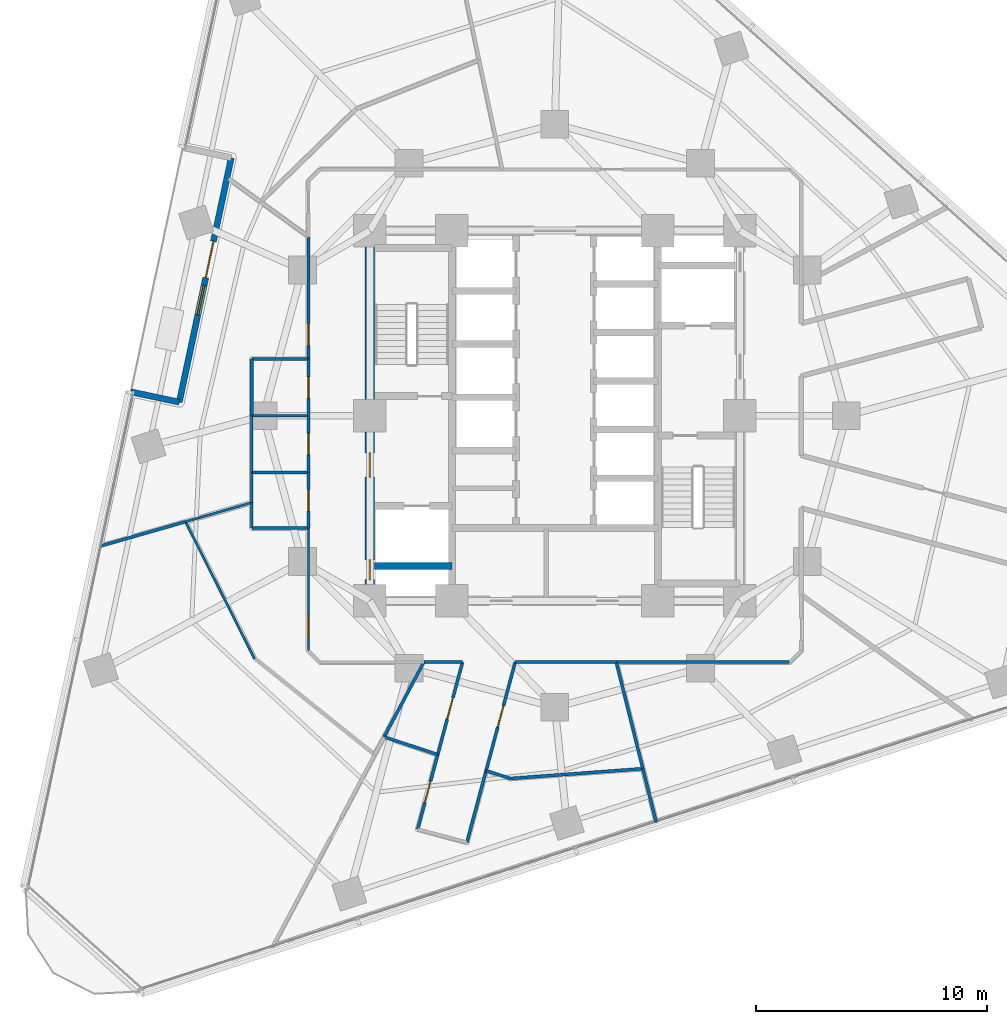
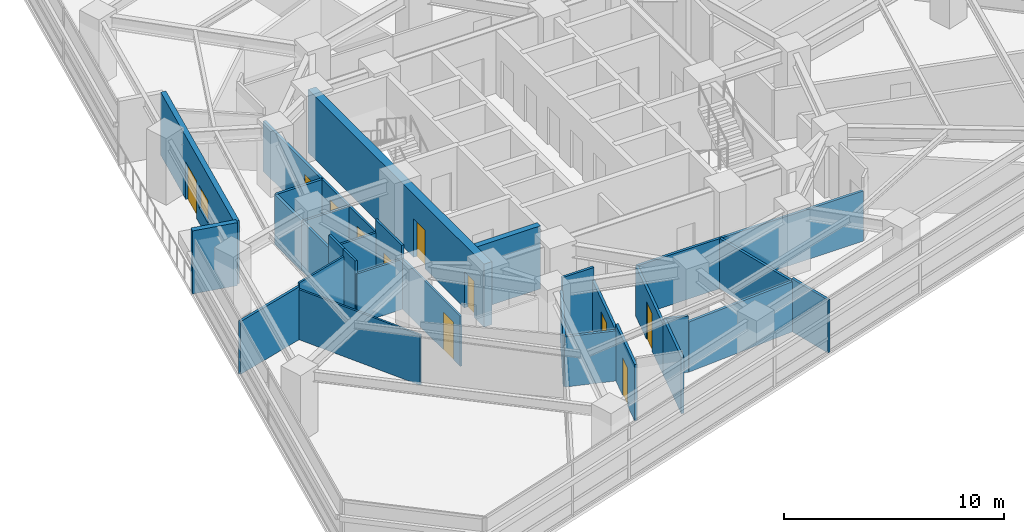
# One storey, part 7 of 14: 33 walls, 11 doors, 1 window, 12 openings.
"""IFC4 building model written with IfcOpenShell, lengths in metres."""

from ifc_helpers import new_model, si_unit, direction, frame, frame_2d, origin, place, context, subcontext, project, spatial, rectangle, extrude, material, layer, layer_set, type_object, element, fill, save


model = new_model("IFC4")

# Units and contexts
model_context = context("Model", 3, precision=1e-05, world=origin(), true_north=direction((0.0, 1.0)))
body_context = subcontext(model_context, "Body", "Model", "MODEL_VIEW")
ifc_project = project(units=[si_unit("LENGTHUNIT", "METRE"), si_unit("AREAUNIT", "SQUARE_METRE"), si_unit("VOLUMEUNIT", "CUBIC_METRE"), si_unit("PLANEANGLEUNIT", "RADIAN"), si_unit("MASSUNIT", "GRAM", prefix="KILO")], contexts=[model_context])

# Site, building, storey
site_placement = place(None, origin())
site = spatial("IfcSite", under=ifc_project, at=site_placement, CompositionType="ELEMENT")
building_placement = place(site_placement, origin())
building = spatial("IfcBuilding", under=site, at=building_placement, Name="Terralouvre Media Tower", CompositionType="ELEMENT")
storey_placement = place(building_placement, frame((0.0, 0.0, 97.699951171875)))
storey = spatial("IfcBuildingStorey", under=building, at=storey_placement, Name="L24", CompositionType="ELEMENT", Elevation=97.699951171875)

# Wall
ifc_material_1 = material(Name="Concrete C50/60", Category="concrete")
ifc_layer_1 = layer(ifc_material_1, 0.300048828125, Name="Core Internal Shaft Wall CW-300")
ifc_layer_set_1 = layer_set([ifc_layer_1], Name="Concrete C50/60")
wall_type_1 = type_object("IfcWallType", Name="Core Internal Shaft Wall CW-300", PredefinedType="SHEAR", material=ifc_layer_set_1)
wall_1_placement = place(storey_placement, frame((-7.7900390625, -6.5, 0.0), z_axis=(0.0, 0.0, 1.0), x_axis=(1.0, 0.0, 0.0)))
element("IfcWall", 1, at=wall_1_placement, inside=storey, type_object=wall_type_1, Name="L24 Core Shaft Wall FF1S", PredefinedType="SHEAR", context=body_context, shape_type="SweptSolid", body=[
    extrude(rectangle(XDim=3.340087890625, YDim=0.300048828125, at=frame_2d((1.669921875, 0.0))), origin(), (0.0, 0.0, 1.0), 3.5),
])

# Wall, openings, doors
ifc_material_2 = material(Name="Concrete C60/75", Category="concrete")
ifc_layer_2 = layer(ifc_material_2, 0.419921875, Name="Core Reinforced Concrete Shear Wall CW-420")
ifc_layer_set_2 = layer_set([ifc_layer_2], Name="Concrete C60/75")
wall_type_2 = type_object("IfcWallType", Name="Core Reinforced Concrete Shear Wall CW-420", PredefinedType="SHEAR", material=ifc_layer_set_2)
wall_2_placement = place(storey_placement, frame((-8.0, -8.0, 0.0), z_axis=(0.0, 0.0, 1.0), x_axis=(0.0, 1.0, 0.0)))
wall_2 = element("IfcWall", 2, at=wall_2_placement, inside=storey, type_object=wall_type_2, Name="L24 W Core Shear Wall", PredefinedType="SHEAR", context=body_context, shape_type="SweptSolid", body=[
    extrude(rectangle(XDim=16.0, YDim=0.419921875, at=frame_2d((8.0, 0.0))), origin(), (0.0, 0.0, 1.0), 3.5),
])
opening_1_placement = place(wall_2_placement, frame((0.921630859375, 0.0, 0.0)))
opening_1 = element("IfcOpeningElement", 3, at=opening_1_placement, cuts=wall_2, Name="Opening TD-R1", PredefinedType="OPENING", context=body_context, shape_type="SweptSolid", body=[
    extrude(rectangle(XDim=0.85009765625, YDim=2.02001953125, at=frame_2d((0.425048828125, 1.010009765625))), frame((0.0, 0.219970703125, 0.0), z_axis=(0.0, -1.0, 0.0), x_axis=(1.0, 0.0, 0.0)), (0.0, 0.0, 1.0), 0.43994140625),
])
opening_2_placement = place(wall_2_placement, frame((5.35009765625, 0.0, 0.0)))
opening_2 = element("IfcOpeningElement", 4, at=opening_2_placement, cuts=wall_2, Name="Opening FD-01-105X215", PredefinedType="OPENING", context=body_context, shape_type="SweptSolid", body=[
    extrude(rectangle(XDim=1.050048828125, YDim=2.14990234375, at=frame_2d((0.52490234375, 1.074951171875))), frame((0.0, 0.219970703125, 0.0), z_axis=(0.0, -1.0, 0.0), x_axis=(1.0, 0.0, 0.0)), (0.0, 0.0, 1.0), 0.43994140625),
])
ifc_material_3 = material(Name="Galvanised steel fire-resisting leaf", Category="steel")
door_type_1 = type_object("IfcDoorType", Name="Riser Inspection Access Trapdoor TD-R1", OperationType="NOTDEFINED", PredefinedType="TRAPDOOR", material=ifc_material_3)
door_1_placement = place(opening_1_placement, origin())
door_1 = element("IfcDoor", 5, at=door_1_placement, inside=storey, type_object=door_type_1, Name="L24 Wet Riser Access Trapdoor", OperationType="SINGLE_SWING_LEFT", OverallHeight=2.02001953125, OverallWidth=0.85009765625, PredefinedType="TRAPDOOR", context=body_context, shape_type="SweptSolid", body=[
    extrude(rectangle(XDim=0.85009765625, YDim=2.02001953125, at=frame_2d((0.425048828125, 1.010009765625))), frame((0.0, 0.02490234375, 0.0), z_axis=(0.0, -1.0, 0.0), x_axis=(1.0, 0.0, 0.0)), (0.0, 0.0, 1.0), 0.050048828125),
])
fill(opening_1, door_1)
ifc_material_4 = material(Name="Galvanised steel fire-resisting leaf", Category="steel")
door_type_2 = type_object("IfcDoorType", Name="Stair and Firefighting Lobby Fire Door FD-01 (1050x2150)", OperationType="NOTDEFINED", PredefinedType="DOOR", material=ifc_material_4)
door_2_placement = place(opening_2_placement, origin())
door_2 = element("IfcDoor", 6, at=door_2_placement, inside=storey, type_object=door_type_2, Name="L24 West Firefighting Lobby Entry Door", OperationType="SINGLE_SWING_RIGHT", OverallHeight=2.14990234375, OverallWidth=1.050048828125, PredefinedType="DOOR", context=body_context, shape_type="SweptSolid", body=[
    extrude(rectangle(XDim=1.050048828125, YDim=2.14990234375, at=frame_2d((0.52490234375, 1.074951171875))), frame((0.0, 0.02490234375, 0.0), z_axis=(0.0, -1.0, 0.0), x_axis=(1.0, 0.0, 0.0)), (0.0, 0.0, 1.0), 0.050048828125),
])
fill(opening_2, door_2)

# Wall, opening, door
ifc_material_5 = material(Name="Low-iron laminated double glazing with solar-control coating", Category="glass")
ifc_layer_3 = layer(ifc_material_5, 0.10009765625, Name="Demountable Glazed Office Partition PT-GL100")
ifc_layer_set_3 = layer_set([ifc_layer_3], Name="Low-iron laminated double glazing with solar-control coating")
wall_type_3 = type_object("IfcWallType", Name="Demountable Glazed Office Partition PT-GL100", PredefinedType="MOVABLE", material=ifc_layer_set_3)
wall_3_placement = place(storey_placement, frame((-10.64990234375, -4.85009765625, 0.0), z_axis=(0.0, 0.0, 1.0), x_axis=(0.0, -1.0, 0.0)))
wall_3 = element("IfcWall", 7, at=wall_3_placement, inside=storey, type_object=wall_type_3, Name="L24 Interior Partition 019", PredefinedType="MOVABLE", context=body_context, shape_type="SweptSolid", body=[
    extrude(rectangle(XDim=5.2998046875, YDim=0.10009765625, at=frame_2d((2.64990234375, 0.0))), origin(), (0.0, 0.0, 1.0), 2.78515625),
])
opening_3_placement = place(wall_3_placement, frame((3.764892578125, 0.0, 0.0)))
opening_3 = element("IfcOpeningElement", 8, at=opening_3_placement, cuts=wall_3, Name="Opening ID-02-95X210", PredefinedType="OPENING", context=body_context, shape_type="SweptSolid", body=[
    extrude(rectangle(XDim=0.949951171875, YDim=2.10009765625, at=frame_2d((0.47509765625, 1.050048828125))), frame((0.0, 0.06005859375, 0.0), z_axis=(0.0, -1.0, 0.0), x_axis=(1.0, 0.0, 0.0)), (0.0, 0.0, 1.0), 0.1201171875),
])
ifc_material_6 = material(Name="Engineered hardwood acoustic timber leaf", Category="wood")
door_type_3 = type_object("IfcDoorType", Name="Office and Meeting Room Door ID-02 (950x2100)", OperationType="NOTDEFINED", PredefinedType="DOOR", material=ifc_material_6)
door_3_placement = place(opening_3_placement, origin())
door_3 = element("IfcDoor", 9, at=door_3_placement, inside=storey, type_object=door_type_3, Name="L24 Storyboarding Conference Room 5 Door", OperationType="SINGLE_SWING_RIGHT", OverallHeight=2.10009765625, OverallWidth=0.949951171875, PredefinedType="DOOR", context=body_context, shape_type="SweptSolid", body=[
    extrude(rectangle(XDim=0.949951171875, YDim=2.10009765625, at=frame_2d((0.47509765625, 1.050048828125))), frame((0.0, 0.02490234375, 0.0), z_axis=(0.0, -1.0, 0.0), x_axis=(1.0, 0.0, 0.0)), (0.0, 0.0, 1.0), 0.050048828125),
])
fill(opening_3, door_3)

# Walls
wall_4_placement = place(storey_placement, frame((-15.968017578125, -4.5791015625, 0.0), z_axis=(0.0, 0.0, 1.0), x_axis=(0.450166439867, -0.892944665933, 0.0)))
element("IfcWall", 10, at=wall_4_placement, inside=storey, type_object=wall_type_3, Name="L24 Interior Partition 049", PredefinedType="MOVABLE", context=body_context, shape_type="SweptSolid", body=[
    extrude(rectangle(XDim=6.641845703125, YDim=0.10009765625, at=frame_2d((3.32080078125, 0.0))), origin(), (0.0, 0.0, 1.0), 2.78515625),
])
wall_5_placement = place(storey_placement, frame((-13.10009765625, -3.756103515625, 0.0), z_axis=(0.0, 0.0, 1.0), x_axis=(-0.961205264208, -0.275834080671, 0.0)))
element("IfcWall", 11, at=wall_5_placement, inside=storey, type_object=wall_type_3, Name="L24 Interior Partition 051", PredefinedType="MOVABLE", context=body_context, shape_type="SweptSolid", body=[
    extrude(rectangle(XDim=2.983642578125, YDim=0.10009765625, at=frame_2d((1.49169921875, 0.0))), origin(), (0.0, 0.0, 1.0), 3.125),
])
ifc_material_7 = material(Name="Fire-rated gypsum board drywall partition")
ifc_layer_4 = layer(ifc_material_7, 0.135009765625, Name="Newsroom Acoustic Partition PT-135")
ifc_layer_set_4 = layer_set([ifc_layer_4], Name="Fire-rated gypsum board drywall partition")
wall_type_4 = type_object("IfcWallType", Name="Newsroom Acoustic Partition PT-135", PredefinedType="PARTITIONING", material=ifc_layer_set_4)
wall_6_placement = place(storey_placement, frame((-5.6630859375, -10.64990234375, 0.0), z_axis=(0.0, 0.0, 1.0), x_axis=(1.0, 0.0, 0.0)))
element("IfcWall", 12, at=wall_6_placement, inside=storey, type_object=wall_type_4, Name="L24 Interior Partition 010", PredefinedType="PARTITIONING", context=body_context, shape_type="SweptSolid", body=[
    extrude(rectangle(XDim=1.671142578125, YDim=0.135009765625, at=frame_2d((0.83544921875, 0.0))), origin(), (0.0, 0.0, 1.0), 3.5),
])

# Wall, opening, door
wall_7_placement = place(storey_placement, frame((-3.991943359375, -10.64990234375, 0.0), z_axis=(0.0, 0.0, 1.0), x_axis=(-0.259046685972, -0.96586480135, 0.0)))
wall_7 = element("IfcWall", 13, at=wall_7_placement, inside=storey, type_object=wall_type_4, Name="L24 Interior Partition 011", PredefinedType="PARTITIONING", context=body_context, shape_type="SweptSolid", body=[
    extrude(rectangle(XDim=4.138427734375, YDim=0.135009765625, at=frame_2d((2.0693359375, 0.0))), origin(), (0.0, 0.0, 1.0), 2.78515625),
])
opening_4_placement = place(wall_7_placement, frame((1.593994140625, 0.0, 0.0)))
opening_4 = element("IfcOpeningElement", 14, at=opening_4_placement, cuts=wall_7, Name="Opening ID-02-95X210", PredefinedType="OPENING", context=body_context, shape_type="SweptSolid", body=[
    extrude(rectangle(XDim=0.949951171875, YDim=2.10009765625, at=frame_2d((0.47509765625, 1.050048828125))), frame((0.0, 0.077392578125, 0.0), z_axis=(0.0, -1.0, 0.0), x_axis=(1.0, 0.0, 0.0)), (0.0, 0.0, 1.0), 0.155029296875),
])
door_4_placement = place(opening_4_placement, origin())
door_4 = element("IfcDoor", 15, at=door_4_placement, inside=storey, type_object=door_type_3, Name="L24 Master Film Reel Vault Store 2 Door", OperationType="SINGLE_SWING_LEFT", OverallHeight=2.10009765625, OverallWidth=0.949951171875, PredefinedType="DOOR", context=body_context, shape_type="SweptSolid", body=[
    extrude(rectangle(XDim=0.949951171875, YDim=2.10009765625, at=frame_2d((0.47509765625, 1.050048828125))), frame((0.0, 0.02490234375, 0.0), z_axis=(0.0, -1.0, 0.0), x_axis=(1.0, 0.0, 0.0)), (0.0, 0.0, 1.0), 0.050048828125),
])
fill(opening_4, door_4)

wall_8_placement = place(storey_placement, frame((-5.06396484375, -14.64697265625, 0.0), z_axis=(0.0, 0.0, 1.0), x_axis=(-0.258558355083, -0.965995640268, 0.0)))
wall_8 = element("IfcWall", 16, at=wall_8_placement, inside=storey, type_object=wall_type_4, Name="L24 Interior Partition 012", PredefinedType="PARTITIONING", context=body_context, shape_type="SweptSolid", body=[
    extrude(rectangle(XDim=3.341552734375, YDim=0.135009765625, at=frame_2d((1.6708984375, 0.0))), origin(), (0.0, 0.0, 1.0), 3.125),
])
opening_5_placement = place(wall_8_placement, frame((1.19580078125, 0.0, 0.0)))
opening_5 = element("IfcOpeningElement", 17, at=opening_5_placement, cuts=wall_8, Name="Opening ID-02-95X210", PredefinedType="OPENING", context=body_context, shape_type="SweptSolid", body=[
    extrude(rectangle(XDim=0.949951171875, YDim=2.10009765625, at=frame_2d((0.47509765625, 1.050048828125))), frame((0.0, 0.077392578125, 0.0), z_axis=(0.0, -1.0, 0.0), x_axis=(1.0, 0.0, 0.0)), (0.0, 0.0, 1.0), 0.155029296875),
])
door_5_placement = place(opening_5_placement, origin())
door_5 = element("IfcDoor", 18, at=door_5_placement, inside=storey, type_object=door_type_3, Name="L24 Grading Client Lounge 3 Door", OperationType="SINGLE_SWING_RIGHT", OverallHeight=2.10009765625, OverallWidth=0.949951171875, PredefinedType="DOOR", context=body_context, shape_type="SweptSolid", body=[
    extrude(rectangle(XDim=0.949951171875, YDim=2.10009765625, at=frame_2d((0.47509765625, 1.050048828125))), frame((0.0, 0.02490234375, 0.0), z_axis=(0.0, -1.0, 0.0), x_axis=(1.0, 0.0, 0.0)), (0.0, 0.0, 1.0), 0.050048828125),
])
fill(opening_5, door_5)

# Wall
wall_9_placement = place(storey_placement, frame((-3.802978515625, -18.444091796875, 0.0), z_axis=(0.0, 0.0, 1.0), x_axis=(0.258739880159, 0.965947034995, 0.0)))
element("IfcWall", 19, at=wall_9_placement, inside=storey, type_object=wall_type_4, Name="L24 Interior Partition 014", PredefinedType="PARTITIONING", context=body_context, shape_type="SweptSolid", body=[
    extrude(rectangle(XDim=3.2158203125, YDim=0.135009765625, at=frame_2d((1.60791015625, 0.0))), origin(), (0.0, 0.0, 1.0), 3.125),
])

# Wall, opening, door
wall_10_placement = place(storey_placement, frame((-2.970947265625, -15.337890625, 0.0), z_axis=(0.0, 0.0, 1.0), x_axis=(0.258764582319, 0.965940417902, 0.0)))
wall_10 = element("IfcWall", 20, at=wall_10_placement, inside=storey, type_object=wall_type_4, Name="L24 Interior Partition 015", PredefinedType="PARTITIONING", context=body_context, shape_type="SweptSolid", body=[
    extrude(rectangle(XDim=4.853271484375, YDim=0.135009765625, at=frame_2d((2.4267578125, 0.0))), origin(), (0.0, 0.0, 1.0), 2.78515625),
])
opening_6_placement = place(wall_10_placement, frame((1.95166015625, 0.0, 0.0)))
opening_6 = element("IfcOpeningElement", 21, at=opening_6_placement, cuts=wall_10, Name="Opening ID-02-95X210", PredefinedType="OPENING", context=body_context, shape_type="SweptSolid", body=[
    extrude(rectangle(XDim=0.949951171875, YDim=2.10009765625, at=frame_2d((0.47509765625, 1.050048828125))), frame((0.0, 0.077392578125, 0.0), z_axis=(0.0, -1.0, 0.0), x_axis=(1.0, 0.0, 0.0)), (0.0, 0.0, 1.0), 0.155029296875),
])
door_6_placement = place(opening_6_placement, origin())
door_6 = element("IfcDoor", 22, at=door_6_placement, inside=storey, type_object=door_type_3, Name="L24 Editorial Collaborative Open Office 4 Door", OperationType="SINGLE_SWING_LEFT", OverallHeight=2.10009765625, OverallWidth=0.949951171875, PredefinedType="DOOR", context=body_context, shape_type="SweptSolid", body=[
    extrude(rectangle(XDim=0.949951171875, YDim=2.10009765625, at=frame_2d((0.47509765625, 1.050048828125))), frame((0.0, 0.02490234375, 0.0), z_axis=(0.0, -1.0, 0.0), x_axis=(1.0, 0.0, 0.0)), (0.0, 0.0, 1.0), 0.050048828125),
])
fill(opening_6, door_6)

# Walls
wall_11_placement = place(storey_placement, frame((-1.715087890625, -10.64990234375, 0.0), z_axis=(0.0, 0.0, 1.0), x_axis=(1.0, 0.0, 0.0)))
element("IfcWall", 23, at=wall_11_placement, inside=storey, type_object=wall_type_4, Name="L24 Interior Partition 016", PredefinedType="PARTITIONING", context=body_context, shape_type="SweptSolid", body=[
    extrude(rectangle(XDim=4.3701171875, YDim=0.135009765625, at=frame_2d((2.18505859375, 0.0))), origin(), (0.0, 0.0, 1.0), 2.78515625),
])
wall_12_placement = place(storey_placement, frame((2.655029296875, -10.64990234375, 0.0), z_axis=(0.0, 0.0, 1.0), x_axis=(1.0, 0.0, 0.0)))
element("IfcWall", 24, at=wall_12_placement, inside=storey, type_object=wall_type_4, Name="L24 Interior Partition 022", PredefinedType="PARTITIONING", context=body_context, shape_type="SweptSolid", body=[
    extrude(rectangle(XDim=7.494873046875, YDim=0.135009765625, at=frame_2d((3.74755859375, 0.0))), origin(), (0.0, 0.0, 1.0), 2.78515625),
])

# Wall, opening, door
wall_13_placement = place(storey_placement, frame((-10.64990234375, 7.738037109375, 0.0), z_axis=(0.0, 0.0, 1.0), x_axis=(0.0, -1.0, 0.0)))
wall_13 = element("IfcWall", 25, at=wall_13_placement, inside=storey, type_object=wall_type_4, Name="L24 Interior Partition 031", PredefinedType="PARTITIONING", context=body_context, shape_type="SweptSolid", body=[
    extrude(rectangle(XDim=5.2880859375, YDim=0.135009765625, at=frame_2d((2.64404296875, 0.0))), origin(), (0.0, 0.0, 1.0), 2.78515625),
])
opening_7_placement = place(wall_13_placement, frame((3.75537109375, 0.0, 0.0)))
opening_7 = element("IfcOpeningElement", 26, at=opening_7_placement, cuts=wall_13, Name="Opening ID-02-95X210", PredefinedType="OPENING", context=body_context, shape_type="SweptSolid", body=[
    extrude(rectangle(XDim=0.949951171875, YDim=2.10009765625, at=frame_2d((0.47509765625, 1.050048828125))), frame((0.0, 0.077392578125, 0.0), z_axis=(0.0, -1.0, 0.0), x_axis=(1.0, 0.0, 0.0)), (0.0, 0.0, 1.0), 0.155029296875),
])
door_7_placement = place(opening_7_placement, origin())
door_7 = element("IfcDoor", 27, at=door_7_placement, inside=storey, type_object=door_type_3, Name="L24 Documentary Archive Library 11 Door", OperationType="SINGLE_SWING_RIGHT", OverallHeight=2.10009765625, OverallWidth=0.949951171875, PredefinedType="DOOR", context=body_context, shape_type="SweptSolid", body=[
    extrude(rectangle(XDim=0.949951171875, YDim=2.10009765625, at=frame_2d((0.47509765625, 1.050048828125))), frame((0.0, 0.02490234375, 0.0), z_axis=(0.0, -1.0, 0.0), x_axis=(1.0, 0.0, 0.0)), (0.0, 0.0, 1.0), 0.050048828125),
])
fill(opening_7, door_7)

# Walls
wall_14_placement = place(storey_placement, frame((-7.382080078125, -13.883056640625, 0.0), z_axis=(0.0, 0.0, 1.0), x_axis=(0.949758055829, -0.312985040199, 0.0)))
element("IfcWall", 28, at=wall_14_placement, inside=storey, type_object=wall_type_4, Name="L24 Interior Partition 035", PredefinedType="PARTITIONING", context=body_context, shape_type="SweptSolid", body=[
    extrude(rectangle(XDim=2.440673828125, YDim=0.135009765625, at=frame_2d((1.22021484375, 0.0))), origin(), (0.0, 0.0, 1.0), 2.78515625),
])
wall_15_placement = place(storey_placement, frame((-5.6630859375, -10.64990234375, 0.0), z_axis=(0.0, 0.0, 1.0), x_axis=(-0.469449315633, -0.882959421521, 0.0)))
element("IfcWall", 29, at=wall_15_placement, inside=storey, type_object=wall_type_4, Name="L24 Interior Partition 036", PredefinedType="PARTITIONING", context=body_context, shape_type="SweptSolid", body=[
    extrude(rectangle(XDim=3.66162109375, YDim=0.135009765625, at=frame_2d((1.830810546875, 0.0))), origin(), (0.0, 0.0, 1.0), 2.78515625),
])
wall_16_placement = place(storey_placement, frame((3.803955078125, -15.256103515625, 0.0), z_axis=(0.0, 0.0, 1.0), x_axis=(-0.99725056907, -0.07410332307, 0.0)))
element("IfcWall", 30, at=wall_16_placement, inside=storey, type_object=wall_type_4, Name="L24 Interior Partition 037", PredefinedType="PARTITIONING", context=body_context, shape_type="SweptSolid", body=[
    extrude(rectangle(XDim=5.745849609375, YDim=0.135009765625, at=frame_2d((2.873046875, 0.0))), origin(), (0.0, 0.0, 1.0), 2.78515625),
])
wall_17_placement = place(storey_placement, frame((-1.926025390625, -15.681884765625, 0.0), z_axis=(0.0, 0.0, 1.0), x_axis=(-0.949852955326, 0.312696919171, 0.0)))
element("IfcWall", 31, at=wall_17_placement, inside=storey, type_object=wall_type_4, Name="L24 Interior Partition 038", PredefinedType="PARTITIONING", context=body_context, shape_type="SweptSolid", body=[
    extrude(rectangle(XDim=1.10009765625, YDim=0.135009765625, at=frame_2d((0.550048828125, 0.0))), origin(), (0.0, 0.0, 1.0), 3.125),
])
wall_18_placement = place(storey_placement, frame((4.3828125, -17.578125, 0.0), z_axis=(0.0, 0.0, 1.0), x_axis=(-0.241887449135, 0.970304314095, 0.0)))
element("IfcWall", 32, at=wall_18_placement, inside=storey, type_object=wall_type_4, Name="L24 Interior Partition 041", PredefinedType="PARTITIONING", context=body_context, shape_type="SweptSolid", body=[
    extrude(rectangle(XDim=2.39306640625, YDim=0.135009765625, at=frame_2d((1.196533203125, 0.0))), origin(), (0.0, 0.0, 1.0), 2.93505859375),
])
wall_19_placement = place(storey_placement, frame((3.803955078125, -15.256103515625, 0.0), z_axis=(0.0, 0.0, 1.0), x_axis=(-0.24201527033, 0.970272440569, 0.0)))
element("IfcWall", 33, at=wall_19_placement, inside=storey, type_object=wall_type_4, Name="L24 Interior Partition 042", PredefinedType="PARTITIONING", context=body_context, shape_type="SweptSolid", body=[
    extrude(rectangle(XDim=4.747314453125, YDim=0.135009765625, at=frame_2d((2.37353515625, 0.0))), origin(), (0.0, 0.0, 1.0), 2.78515625),
])
wall_20_placement = place(storey_placement, frame((-15.968017578125, -4.5791015625, 0.0), z_axis=(0.0, 0.0, 1.0), x_axis=(-0.961294264275, -0.275523751194, 0.0)))
element("IfcWall", 34, at=wall_20_placement, inside=storey, type_object=wall_type_4, Name="L24 Interior Partition 052", PredefinedType="PARTITIONING", context=body_context, shape_type="SweptSolid", body=[
    extrude(rectangle(XDim=3.856201171875, YDim=0.135009765625, at=frame_2d((1.92822265625, 0.0))), origin(), (0.0, 0.0, 1.0), 2.93505859375),
])
wall_21_placement = place(storey_placement, frame((-13.10009765625, 0.0, 0.0), z_axis=(0.0, 0.0, 1.0), x_axis=(0.0, 1.0, 0.0)))
element("IfcWall", 35, at=wall_21_placement, inside=storey, type_object=wall_type_4, Name="L24 Interior Partition 059", PredefinedType="PARTITIONING", context=body_context, shape_type="SweptSolid", body=[
    extrude(rectangle(XDim=2.449951171875, YDim=0.135009765625, at=frame_2d((1.22509765625, 0.0))), origin(), (0.0, 0.0, 1.0), 2.78515625),
])
wall_22_placement = place(storey_placement, frame((-13.10009765625, 2.449951171875, 0.0), z_axis=(0.0, 0.0, 1.0), x_axis=(1.0, 0.0, 0.0)))
element("IfcWall", 36, at=wall_22_placement, inside=storey, type_object=wall_type_4, Name="L24 Interior Partition 060", PredefinedType="PARTITIONING", context=body_context, shape_type="SweptSolid", body=[
    extrude(rectangle(XDim=2.4501953125, YDim=0.135009765625, at=frame_2d((1.22509765625, 0.0))), origin(), (0.0, 0.0, 1.0), 2.78515625),
])

# Wall, openings, window, door
ifc_material_8 = material(Name="Kiln-fired architectural terracotta rainscreen cladding", Category="masonry")
ifc_layer_5 = layer(ifc_material_8, 0.260009765625, Name="Recessed Sky-Garden Acoustic Wall EW-SG260")
ifc_layer_set_5 = layer_set([ifc_layer_5], Name="Kiln-fired architectural terracotta rainscreen cladding")
wall_type_5 = type_object("IfcWallType", Name="Recessed Sky-Garden Acoustic Wall EW-SG260", PredefinedType="SOLIDWALL", material=ifc_layer_set_5)
wall_23_placement = place(storey_placement, frame((-13.989013671875, 11.152099609375, 0.0), z_axis=(0.0, 0.0, 1.0), x_axis=(-0.207926345708, -0.978144485626, 0.0)))
wall_23 = element("IfcWall", 37, at=wall_23_placement, inside=storey, type_object=wall_type_5, Name="L24 SG Recessed Loggia Back Wall", PredefinedType="SOLIDWALL", context=body_context, shape_type="SweptSolid", body=[
    extrude(rectangle(XDim=10.800048828125, YDim=0.260009765625, at=frame_2d((5.39990234375, 0.0))), origin(), (0.0, 0.0, 1.0), 3.5),
])
opening_8_placement = place(wall_23_placement, frame((3.699951171875, 0.0, 0.0)))
opening_8 = element("IfcOpeningElement", 38, at=opening_8_placement, cuts=wall_23, Name="Opening TD-01", PredefinedType="OPENING", context=body_context, shape_type="SweptSolid", body=[
    extrude(rectangle(XDim=1.60009765625, YDim=2.080078125, at=frame_2d((0.800048828125, 1.0400390625))), frame((0.0, 0.139892578125, 0.0), z_axis=(0.0, -1.0, 0.0), x_axis=(1.0, 0.0, 0.0)), (0.0, 0.0, 1.0), 0.280029296875),
])
opening_9_placement = place(wall_23_placement, frame((5.64990234375, 0.0, 0.85009765625)))
opening_9 = element("IfcOpeningElement", 39, at=opening_9_placement, cuts=wall_23, Name="Opening W-03", PredefinedType="OPENING", context=body_context, shape_type="SweptSolid", body=[
    extrude(rectangle(XDim=1.300048828125, YDim=1.25, at=frame_2d((0.64990234375, 0.625))), frame((0.0, 0.139892578125, 0.0), z_axis=(0.0, -1.0, 0.0), x_axis=(1.0, 0.0, 0.0)), (0.0, 0.0, 1.0), 0.280029296875),
])
ifc_material_9 = material(Name="Low-iron laminated double glazing with solar-control coating", Category="glass")
window_type = type_object("IfcWindowType", Name="Sky-Garden Loggia Window W-03", PartitioningType="SINGLE_PANEL", PredefinedType="WINDOW", material=ifc_material_9)
window_placement = place(opening_9_placement, origin())
window = element("IfcWindow", 40, at=window_placement, inside=storey, type_object=window_type, Name="L24 Pocket Loggia Window 1", OverallHeight=1.25, OverallWidth=1.300048828125, PartitioningType="SINGLE_PANEL", PredefinedType="WINDOW", context=body_context, shape_type="SweptSolid", body=[
    extrude(rectangle(XDim=1.300048828125, YDim=1.25, at=frame_2d((0.64990234375, 0.625))), frame((0.0, 0.030029296875, 0.0), z_axis=(0.0, -1.0, 0.0), x_axis=(1.0, 0.0, 0.0)), (0.0, 0.0, 1.0), 0.06005859375),
])
fill(opening_9, window)
ifc_material_10 = material(Name="Anodised extruded aluminium 6063-T6", Category="aluminium")
door_type_4 = type_object("IfcDoorType", Name="Sky-Garden Terrace Double Door TD-01", OperationType="DOUBLE_DOOR_SLIDING", PredefinedType="DOOR", material=ifc_material_10)
door_8_placement = place(opening_8_placement, frame((1.60009765625, 0.0, 0.0), z_axis=(0.0, 0.0, 1.0), x_axis=(-1.0, 0.0, 0.0)))
door_8 = element("IfcDoor", 41, at=door_8_placement, inside=storey, type_object=door_type_4, Name="L24 Sky-Garden Terrace Door", OperationType="DOUBLE_DOOR_SLIDING", OverallHeight=2.080078125, OverallWidth=1.60009765625, PredefinedType="DOOR", context=body_context, shape_type="SweptSolid", body=[
    extrude(rectangle(XDim=1.60009765625, YDim=2.080078125, at=frame_2d((0.800048828125, 1.0400390625))), frame((0.0, 0.02490234375, 0.0), z_axis=(0.0, -1.0, 0.0), x_axis=(1.0, 0.0, 0.0)), (0.0, 0.0, 1.0), 0.050048828125),
])
fill(opening_8, door_8)

# Wall
wall_24_placement = place(storey_placement, frame((-16.234619140625, 0.588134765625, 0.0), z_axis=(0.0, 0.0, 1.0), x_axis=(-0.978146728319, 0.207915795165, 0.0)))
element("IfcWall", 42, at=wall_24_placement, inside=storey, type_object=wall_type_5, Name="L24 SG Pocket Right Cheek Wall", PredefinedType="SOLIDWALL", context=body_context, shape_type="SweptSolid", body=[
    extrude(rectangle(XDim=2.14990234375, YDim=0.260009765625, at=frame_2d((1.074951171875, 0.0))), origin(), (0.0, 0.0, 1.0), 3.5),
])

# Wall, opening, door
ifc_material_11 = material(Name="Fire-rated gypsum board drywall partition")
ifc_layer_6 = layer(ifc_material_11, 0.114990234375, Name="Restroom and Pantry Partition PT-115")
ifc_layer_set_6 = layer_set([ifc_layer_6], Name="Fire-rated gypsum board drywall partition")
wall_type_6 = type_object("IfcWallType", Name="Restroom and Pantry Partition PT-115", PredefinedType="PARTITIONING", material=ifc_layer_set_6)
wall_25_placement = place(storey_placement, frame((-10.64990234375, 0.0, 0.0), z_axis=(0.0, 0.0, 1.0), x_axis=(0.0, -1.0, 0.0)))
wall_25 = element("IfcWall", 43, at=wall_25_placement, inside=storey, type_object=wall_type_6, Name="L24 Interior Partition 017", PredefinedType="PARTITIONING", context=body_context, shape_type="SweptSolid", body=[
    extrude(rectangle(XDim=2.449951171875, YDim=0.114990234375, at=frame_2d((1.22509765625, 0.0))), origin(), (0.0, 0.0, 1.0), 2.78515625),
])
opening_10_placement = place(wall_25_placement, frame((0.764892578125, 0.0, 0.0)))
opening_10 = element("IfcOpeningElement", 44, at=opening_10_placement, cuts=wall_25, Name="Opening ID-03-92X210", PredefinedType="OPENING", context=body_context, shape_type="SweptSolid", body=[
    extrude(rectangle(XDim=0.919921875, YDim=2.10009765625, at=frame_2d((0.4599609375, 1.050048828125))), frame((0.0, 0.0673828125, 0.0), z_axis=(0.0, -1.0, 0.0), x_axis=(1.0, 0.0, 0.0)), (0.0, 0.0, 1.0), 0.135009765625),
])
ifc_material_12 = material(Name="Engineered hardwood acoustic timber leaf", Category="wood")
door_type_5 = type_object("IfcDoorType", Name="Accessible Restroom and Suite Door ID-03 (920x2100)", OperationType="NOTDEFINED", PredefinedType="DOOR", material=ifc_material_12)
door_9_placement = place(opening_10_placement, origin())
door_9 = element("IfcDoor", 45, at=door_9_placement, inside=storey, type_object=door_type_5, Name="L24 Female Restroom WC Door", OperationType="SINGLE_SWING_RIGHT", OverallHeight=2.10009765625, OverallWidth=0.919921875, PredefinedType="DOOR", context=body_context, shape_type="SweptSolid", body=[
    extrude(rectangle(XDim=0.919921875, YDim=2.10009765625, at=frame_2d((0.4599609375, 1.050048828125))), frame((0.0, 0.02490234375, 0.0), z_axis=(0.0, -1.0, 0.0), x_axis=(1.0, 0.0, 0.0)), (0.0, 0.0, 1.0), 0.050048828125),
])
fill(opening_10, door_9)

wall_26_placement = place(storey_placement, frame((-10.64990234375, -2.449951171875, 0.0), z_axis=(0.0, 0.0, 1.0), x_axis=(0.0, -1.0, 0.0)))
wall_26 = element("IfcWall", 46, at=wall_26_placement, inside=storey, type_object=wall_type_6, Name="L24 Interior Partition 018", PredefinedType="PARTITIONING", context=body_context, shape_type="SweptSolid", body=[
    extrude(rectangle(XDim=2.400146484375, YDim=0.114990234375, at=frame_2d((1.2001953125, 0.0))), origin(), (0.0, 0.0, 1.0), 3.5),
])
opening_11_placement = place(wall_26_placement, frame((0.739990234375, 0.0, 0.0)))
opening_11 = element("IfcOpeningElement", 47, at=opening_11_placement, cuts=wall_26, Name="Opening ID-03-92X210", PredefinedType="OPENING", context=body_context, shape_type="SweptSolid", body=[
    extrude(rectangle(XDim=0.919921875, YDim=2.10009765625, at=frame_2d((0.4599609375, 1.050048828125))), frame((0.0, 0.0673828125, 0.0), z_axis=(0.0, -1.0, 0.0), x_axis=(1.0, 0.0, 0.0)), (0.0, 0.0, 1.0), 0.135009765625),
])
door_10_placement = place(opening_11_placement, origin())
door_10 = element("IfcDoor", 48, at=door_10_placement, inside=storey, type_object=door_type_5, Name="L24 Male Restroom WC Door", OperationType="SINGLE_SWING_LEFT", OverallHeight=2.10009765625, OverallWidth=0.919921875, PredefinedType="DOOR", context=body_context, shape_type="SweptSolid", body=[
    extrude(rectangle(XDim=0.919921875, YDim=2.10009765625, at=frame_2d((0.4599609375, 1.050048828125))), frame((0.0, 0.02490234375, 0.0), z_axis=(0.0, -1.0, 0.0), x_axis=(1.0, 0.0, 0.0)), (0.0, 0.0, 1.0), 0.050048828125),
])
fill(opening_11, door_10)

wall_27_placement = place(storey_placement, frame((-10.64990234375, 2.449951171875, 0.0), z_axis=(0.0, 0.0, 1.0), x_axis=(0.0, -1.0, 0.0)))
wall_27 = element("IfcWall", 49, at=wall_27_placement, inside=storey, type_object=wall_type_6, Name="L24 Interior Partition 032", PredefinedType="PARTITIONING", context=body_context, shape_type="SweptSolid", body=[
    extrude(rectangle(XDim=2.449951171875, YDim=0.114990234375, at=frame_2d((1.22509765625, 0.0))), origin(), (0.0, 0.0, 1.0), 2.78515625),
])
opening_12_placement = place(wall_27_placement, frame((0.764892578125, 0.0, 0.0)))
opening_12 = element("IfcOpeningElement", 50, at=opening_12_placement, cuts=wall_27, Name="Opening ID-03-92X210", PredefinedType="OPENING", context=body_context, shape_type="SweptSolid", body=[
    extrude(rectangle(XDim=0.919921875, YDim=2.10009765625, at=frame_2d((0.4599609375, 1.050048828125))), frame((0.0, 0.0673828125, 0.0), z_axis=(0.0, -1.0, 0.0), x_axis=(1.0, 0.0, 0.0)), (0.0, 0.0, 1.0), 0.135009765625),
])
door_11_placement = place(opening_12_placement, origin())
door_11 = element("IfcDoor", 51, at=door_11_placement, inside=storey, type_object=door_type_5, Name="L24 Accessible Unisex WC Door", OperationType="SINGLE_SWING_LEFT", OverallHeight=2.10009765625, OverallWidth=0.919921875, PredefinedType="DOOR", context=body_context, shape_type="SweptSolid", body=[
    extrude(rectangle(XDim=0.919921875, YDim=2.10009765625, at=frame_2d((0.4599609375, 1.050048828125))), frame((0.0, 0.02490234375, 0.0), z_axis=(0.0, -1.0, 0.0), x_axis=(1.0, 0.0, 0.0)), (0.0, 0.0, 1.0), 0.050048828125),
])
fill(opening_12, door_11)

# Walls
wall_28_placement = place(storey_placement, frame((-13.10009765625, -2.449951171875, 0.0), z_axis=(0.0, 0.0, 1.0), x_axis=(1.0, 0.0, 0.0)))
element("IfcWall", 52, at=wall_28_placement, inside=storey, type_object=wall_type_6, Name="L24 Interior Partition 043", PredefinedType="PARTITIONING", context=body_context, shape_type="SweptSolid", body=[
    extrude(rectangle(XDim=2.4501953125, YDim=0.114990234375, at=frame_2d((1.22509765625, 0.0))), origin(), (0.0, 0.0, 1.0), 2.78515625),
])
wall_29_placement = place(storey_placement, frame((-13.10009765625, 0.0, 0.0), z_axis=(0.0, 0.0, 1.0), x_axis=(0.0, -1.0, 0.0)))
element("IfcWall", 53, at=wall_29_placement, inside=storey, type_object=wall_type_6, Name="L24 Interior Partition 044", PredefinedType="PARTITIONING", context=body_context, shape_type="SweptSolid", body=[
    extrude(rectangle(XDim=2.449951171875, YDim=0.114990234375, at=frame_2d((1.22509765625, 0.0))), origin(), (0.0, 0.0, 1.0), 2.78515625),
])
wall_30_placement = place(storey_placement, frame((-10.64990234375, 0.0, 0.0), z_axis=(0.0, 0.0, 1.0), x_axis=(-1.0, 0.0, 0.0)))
element("IfcWall", 54, at=wall_30_placement, inside=storey, type_object=wall_type_6, Name="L24 Interior Partition 045", PredefinedType="PARTITIONING", context=body_context, shape_type="SweptSolid", body=[
    extrude(rectangle(XDim=2.4501953125, YDim=0.114990234375, at=frame_2d((1.22509765625, 0.0))), origin(), (0.0, 0.0, 1.0), 2.78515625),
])
wall_31_placement = place(storey_placement, frame((-13.10009765625, -3.756103515625, 0.0), z_axis=(0.0, 0.0, 1.0), x_axis=(0.0, -1.0, 0.0)))
element("IfcWall", 55, at=wall_31_placement, inside=storey, type_object=wall_type_6, Name="L24 Interior Partition 046", PredefinedType="PARTITIONING", context=body_context, shape_type="SweptSolid", body=[
    extrude(rectangle(XDim=1.093994140625, YDim=0.114990234375, at=frame_2d((0.546875, 0.0))), origin(), (0.0, 0.0, 1.0), 3.5),
])
wall_32_placement = place(storey_placement, frame((-13.10009765625, -4.85009765625, 0.0), z_axis=(0.0, 0.0, 1.0), x_axis=(1.0, 0.0, 0.0)))
element("IfcWall", 56, at=wall_32_placement, inside=storey, type_object=wall_type_6, Name="L24 Interior Partition 047", PredefinedType="PARTITIONING", context=body_context, shape_type="SweptSolid", body=[
    extrude(rectangle(XDim=2.4501953125, YDim=0.114990234375, at=frame_2d((1.22509765625, 0.0))), origin(), (0.0, 0.0, 1.0), 2.78515625),
])
wall_33_placement = place(storey_placement, frame((-13.10009765625, -2.449951171875, 0.0), z_axis=(0.0, 0.0, 1.0), x_axis=(0.0, -1.0, 0.0)))
element("IfcWall", 57, at=wall_33_placement, inside=storey, type_object=wall_type_6, Name="L24 Interior Partition 048", PredefinedType="PARTITIONING", context=body_context, shape_type="SweptSolid", body=[
    extrude(rectangle(XDim=1.30615234375, YDim=0.114990234375, at=frame_2d((0.653076171875, 0.0))), origin(), (0.0, 0.0, 1.0), 3.5),
])

save(model, "model.ifc")
